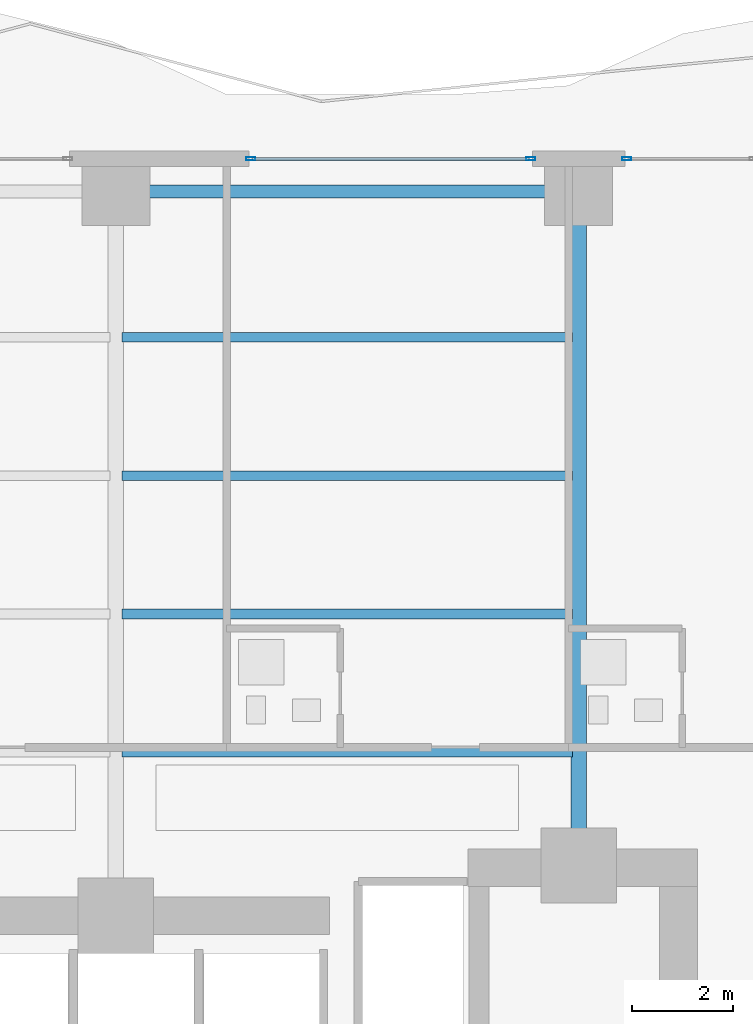
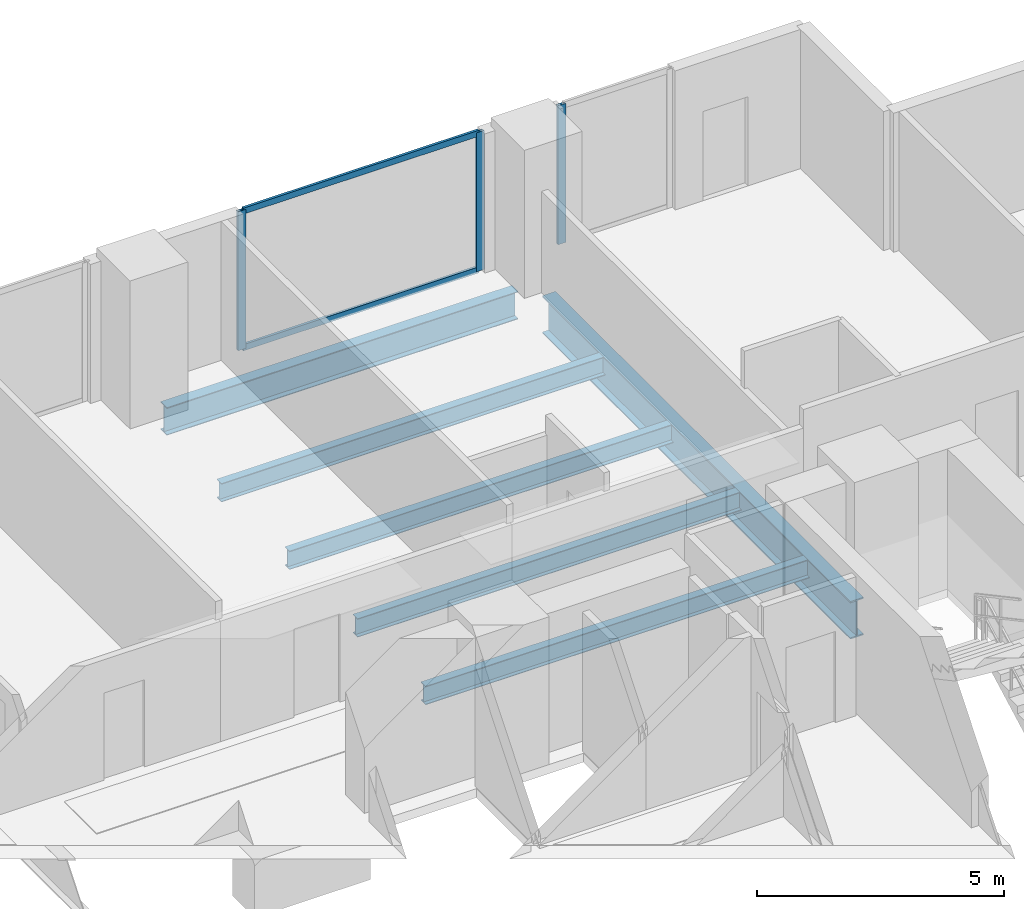
# One storey, part 18 of 29: 6 beams, 5 members, 2 elements without a shape of their own.
"""IFC4 building model written with IfcOpenShell, lengths in metres."""

from ifc_helpers import new_model, si_unit, direction, frame, origin, origin_2d, place, context, subcontext, project, spatial, hollow_rectangle, i_section, extrude, material, layer, layer_set, material_profile, profile_set, type_object, element, aggregate, save


model = new_model("IFC4")

# Units and contexts
model_context = context("Model", 3, precision=1e-05, world=origin(), true_north=direction((0.0, 1.0)))
body_context = subcontext(model_context, "Body", "Model", "MODEL_VIEW")
ifc_project = project(units=[si_unit("LENGTHUNIT", "METRE"), si_unit("AREAUNIT", "SQUARE_METRE"), si_unit("VOLUMEUNIT", "CUBIC_METRE"), si_unit("PLANEANGLEUNIT", "RADIAN"), si_unit("MASSUNIT", "GRAM", prefix="KILO")], contexts=[model_context])

# Site, building, storey
site_placement = place(None, origin())
site = spatial("IfcSite", under=ifc_project, at=site_placement, CompositionType="ELEMENT")
building_placement = place(site_placement, origin())
building = spatial("IfcBuilding", under=site, at=building_placement, Name="Zuhayl Quay Hotel", CompositionType="ELEMENT")
storey_placement = place(building_placement, frame((0.0, 0.0, 132.14990234375)))
storey = spatial("IfcBuildingStorey", under=building, at=storey_placement, Name="L33", CompositionType="ELEMENT", Elevation=132.14990234375)

# Beams
ifc_material_1 = material(Name="Steel ASTM A992 Grade 50", Category="steel")
ifc_material_profile_1 = material_profile(ifc_material_1, i_section(OverallWidth=0.25390625, OverallDepth=0.68310546875, WebThickness=0.012451171875, FlangeThickness=0.018798828125, at=origin_2d()), Name="W27X94")
ifc_profile_set_1 = profile_set([ifc_material_profile_1], Name="Steel ASTM A992 Grade 50")
beam_type_1 = type_object("IfcBeamType", Name="BM_B2_W27X94", PredefinedType="BEAM", material=ifc_profile_set_1)
beam_1_placement = place(storey_placement, frame((13.300048828125, 27.75, -0.5615234375), z_axis=(-1.0, 0.0, 0.0), x_axis=(0.0, -1.0, 0.0)))
element("IfcBeam", 1, at=beam_1_placement, inside=storey, type_object=beam_type_1, Name="L33 Floor Beam RG_L33_07", PredefinedType="BEAM", context=body_context, shape_type="SweptSolid", body=[
    extrude(i_section(OverallWidth=0.25390625, OverallDepth=0.68310546875, WebThickness=0.012451171875, FlangeThickness=0.018798828125, at=origin_2d()), origin(), (0.0, 0.0, 1.0), 8.199951171875),
])
ifc_material_profile_2 = material_profile(ifc_material_1, i_section(OverallWidth=0.18994140625, OverallDepth=0.45703125, WebThickness=0.009033203125, FlangeThickness=0.014404296875, at=origin_2d()), Name="W18X50")
ifc_profile_set_2 = profile_set([ifc_material_profile_2], Name="Steel ASTM A992 Grade 50")
beam_type_2 = type_object("IfcBeamType", Name="BM_J2_W18X50", PredefinedType="JOIST", material=ifc_profile_set_2)
for number, where, z_axis, x_axis, name in (
    (2, (4.718994140625, 16.60009765625, -0.448486328125), (1.0, 0.0, 0.0), (0.0, 1.0, 0.0), "L33 Floor Beam FJ_L33_1_3"),
    (3, (4.718994140625, 19.35009765625, -0.448486328125), (1.0, 0.0, 0.0), (0.0, 1.0, 0.0), "L33 Floor Beam FJ_L33_2_3"),
    (4, (4.718994140625, 22.10009765625, -0.448486328125), (1.0, 0.0, 0.0), (0.0, 1.0, 0.0), "L33 Floor Beam FJ_L33_3_3"),
    (5, (4.718994140625, 24.85009765625, -0.448486328125), (1.0, 0.0, 0.0), (0.0, 1.0, 0.0), "L33 Floor Beam FJ_L33_4_3"),
):
    element("IfcBeam", number, at=place(storey_placement, frame(where, z_axis=z_axis, x_axis=x_axis)), inside=storey, type_object=beam_type_2, Name=name, PredefinedType="JOIST", context=body_context, shape_type="SweptSolid", body=[
        extrude(i_section(OverallWidth=0.18994140625, OverallDepth=0.45703125, WebThickness=0.009033203125, FlangeThickness=0.014404296875, at=origin_2d()), origin(), (0.0, 0.0, 1.0), 8.9619140625),
    ])
ifc_material_profile_3 = material_profile(ifc_material_1, i_section(OverallWidth=0.306884765625, OverallDepth=0.927001953125, WebThickness=0.019287109375, FlangeThickness=0.031982421875, at=origin_2d()), Name="W36X194")
ifc_profile_set_3 = profile_set([ifc_material_profile_3], Name="Steel ASTM A992 Grade 50")
beam_type_3 = type_object("IfcBeamType", Name="BM_PG2_W36X194", PredefinedType="BEAM", material=ifc_profile_set_3)
beam_2_placement = place(storey_placement, frame((13.800048828125, 14.800048828125, -0.683349609375), z_axis=(0.0, 1.0, 0.0), x_axis=(-1.0, 0.0, 0.0)))
element("IfcBeam", 6, at=beam_2_placement, inside=storey, type_object=beam_type_3, Name="L33 Floor Beam FG_N_L33_4", PredefinedType="BEAM", context=body_context, shape_type="SweptSolid", body=[
    extrude(i_section(OverallWidth=0.306884765625, OverallDepth=0.927001953125, WebThickness=0.019287109375, FlangeThickness=0.031982421875, at=origin_2d()), origin(), (0.0, 0.0, 1.0), 12.449951171875),
])

# Curtain wall, members
ifc_material_2 = material(Name="Anodised Aluminium 6063-T6", Category="aluminium")
ifc_layer = layer(ifc_material_2, 0.179931640625, Name="Anodised Aluminium 6063-T6", Category="aluminium")
ifc_layer_set = layer_set([ifc_layer], Name="Anodised Aluminium 6063-T6")
curtain_wall_type = type_object("IfcCurtainWallType", Name="CW_SYS_Z2", PredefinedType="USERDEFINED", material=ifc_layer_set)
curtain_wall_1_placement = place(storey_placement, origin())
curtain_wall_1 = element("IfcCurtainWall", 7, at=curtain_wall_1_placement, inside=storey, type_object=curtain_wall_type, Name="L33 Curtain Wall ENV_L33_N_CW5", ObjectType="UNITISED CURTAIN WALL", PredefinedType="USERDEFINED")
ifc_material_3 = material(Name="Black-anodised aluminium 6063-T6", Category="aluminium")
ifc_material_profile_4 = material_profile(ifc_material_3, hollow_rectangle(XDim=0.06494140625, YDim=0.179931640625, WallThickness=0.00341796875, at=origin_2d()), Name="ALU180X65")
ifc_profile_set_4 = profile_set([ifc_material_profile_4], Name="Black-anodised aluminium 6063-T6")
member_type_1 = type_object("IfcMemberType", Name="MB_CW_MUL_180", PredefinedType="MULLION", material=ifc_profile_set_4)
member_1_placement = place(storey_placement, frame((7.282470703125, 28.39990234375, 0.0), z_axis=(0.0, 0.0, 1.0), x_axis=(0.0, 1.0, 0.0)))
member_1 = element("IfcMember", 8, at=member_1_placement, type_object=member_type_1, Name="CW-Z2 mullion 1", PredefinedType="MULLION", context=body_context, shape_type="SweptSolid", body=[
    extrude(hollow_rectangle(XDim=0.06494140625, YDim=0.179931640625, WallThickness=0.00341796875, at=origin_2d()), origin(), (0.0, 0.0, 1.0), 3.43017578125),
])
member_2_placement = place(storey_placement, frame((12.847412109375, 28.39990234375, 0.0), z_axis=(0.0, 0.0, 1.0), x_axis=(0.0, 1.0, 0.0)))
member_2 = element("IfcMember", 9, at=member_2_placement, type_object=member_type_1, Name="CW-Z2 mullion 2", PredefinedType="MULLION", context=body_context, shape_type="SweptSolid", body=[
    extrude(hollow_rectangle(XDim=0.06494140625, YDim=0.179931640625, WallThickness=0.00341796875, at=origin_2d()), origin(), (0.0, 0.0, 1.0), 3.43017578125),
])

# Curtain wall, member
curtain_wall_2_placement = place(storey_placement, origin())
curtain_wall_2 = element("IfcCurtainWall", 10, at=curtain_wall_2_placement, inside=storey, type_object=curtain_wall_type, Name="L33 Curtain Wall ENV_L33_N_CW6", ObjectType="UNITISED CURTAIN WALL", PredefinedType="USERDEFINED")
member_3_placement = place(storey_placement, frame((14.75244140625, 28.39990234375, 0.0), z_axis=(0.0, 0.0, 1.0), x_axis=(0.0, 1.0, 0.0)))
member_3 = element("IfcMember", 11, at=member_3_placement, type_object=member_type_1, Name="CW-Z2 mullion 1", PredefinedType="MULLION", context=body_context, shape_type="SweptSolid", body=[
    extrude(hollow_rectangle(XDim=0.06494140625, YDim=0.179931640625, WallThickness=0.00341796875, at=origin_2d()), origin(), (0.0, 0.0, 1.0), 3.43017578125),
])
aggregate(curtain_wall_2, [member_3])

# Member
ifc_material_profile_5 = material_profile(ifc_material_3, hollow_rectangle(XDim=0.06005859375, YDim=0.14990234375, WallThickness=0.00341796875, at=origin_2d()), Name="ALU150X60")
ifc_profile_set_5 = profile_set([ifc_material_profile_5], Name="Black-anodised aluminium 6063-T6")
member_type_2 = type_object("IfcMemberType", Name="MB_CW_TRN_150", PredefinedType="USERDEFINED", material=ifc_profile_set_5)
member_4_placement = place(storey_placement, frame((7.31494140625, 28.39990234375, 0.030029296875), z_axis=(1.0, 0.0, 0.0), x_axis=(0.0, 1.0, 0.0)))
member_4 = element("IfcMember", 12, at=member_4_placement, type_object=member_type_2, Name="CW-Z2 transom 1.1", ObjectType="TRANSOM", PredefinedType="USERDEFINED", context=body_context, shape_type="SweptSolid", body=[
    extrude(hollow_rectangle(XDim=0.06005859375, YDim=0.14990234375, WallThickness=0.00341796875, at=origin_2d()), origin(), (0.0, 0.0, 1.0), 5.5),
])

member_5_placement = place(storey_placement, frame((7.31494140625, 28.39990234375, 3.400146484375), z_axis=(1.0, 0.0, 0.0), x_axis=(0.0, 1.0, 0.0)))
member_5 = element("IfcMember", 13, at=member_5_placement, type_object=member_type_2, Name="CW-Z2 transom 1.2", ObjectType="TRANSOM", PredefinedType="USERDEFINED", context=body_context, shape_type="SweptSolid", body=[
    extrude(hollow_rectangle(XDim=0.06005859375, YDim=0.14990234375, WallThickness=0.00341796875, at=origin_2d()), origin(), (0.0, 0.0, 1.0), 5.5),
])

aggregate(curtain_wall_1, [member_1, member_2, member_4, member_5])

save(model, "model.ifc")
